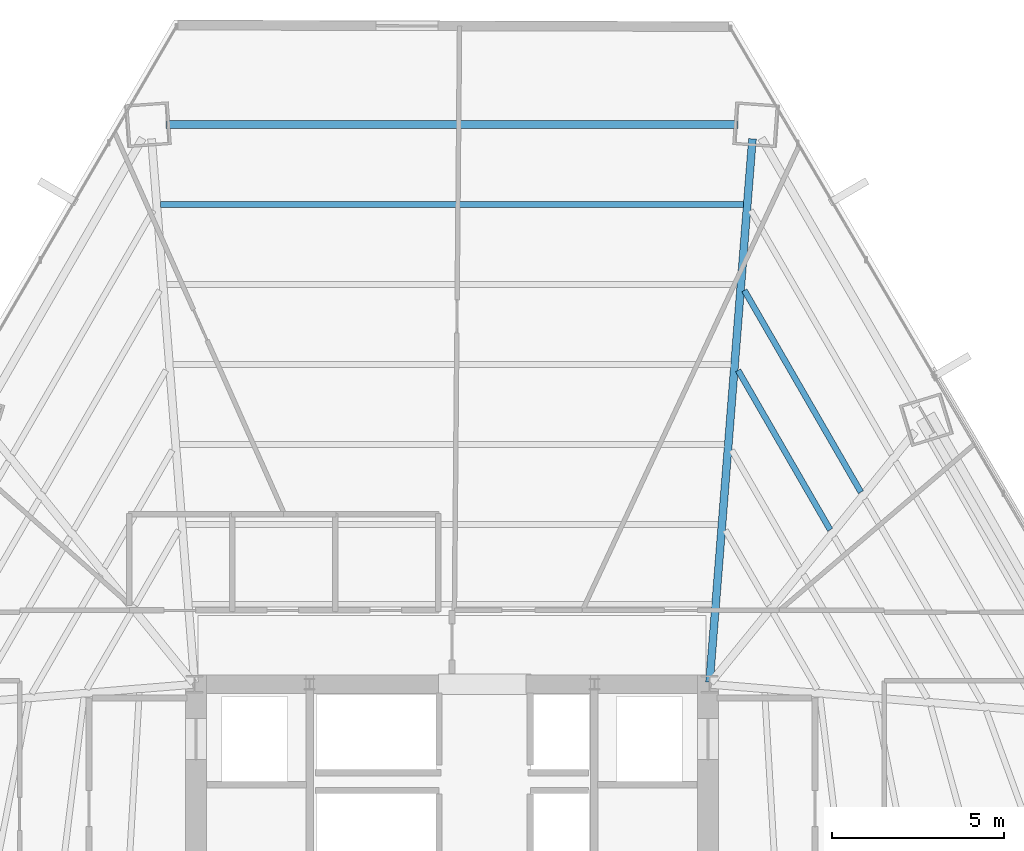
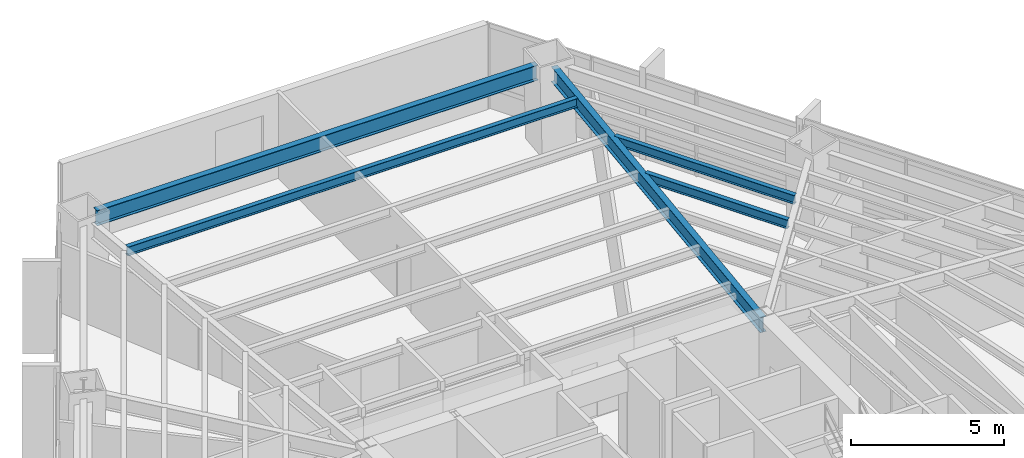
# One storey, part 29 of 37: 5 beams.
"""IFC4 building model written with IfcOpenShell, lengths in metres."""

from ifc_helpers import new_model, si_unit, direction, frame, origin, origin_2d, place, context, subcontext, project, spatial, i_section, extrude, source, transform, mapped, material, material_profile, profile_set, type_object, type_shapes, element, save


model = new_model("IFC4")

# Units and contexts
model_context = context("Model", 3, precision=1e-05, world=origin(), true_north=direction((0.0, 1.0)))
body_context = subcontext(model_context, "Body", "Model", "MODEL_VIEW")
ifc_project = project(units=[si_unit("LENGTHUNIT", "METRE"), si_unit("AREAUNIT", "SQUARE_METRE"), si_unit("VOLUMEUNIT", "CUBIC_METRE"), si_unit("PLANEANGLEUNIT", "RADIAN"), si_unit("MASSUNIT", "GRAM", prefix="KILO")], contexts=[model_context])

# Site, building, storey
site_placement = place(None, origin())
site = spatial("IfcSite", under=ifc_project, at=site_placement, CompositionType="ELEMENT")
building_placement = place(site_placement, origin())
building = spatial("IfcBuilding", under=site, at=building_placement, Name="Caelisora Broadcast Tower", CompositionType="ELEMENT")
storey_placement = place(building_placement, frame((0.0, 0.0, 45.85009765625)))
storey = spatial("IfcBuildingStorey", under=building, at=storey_placement, Name="L11", CompositionType="ELEMENT", Elevation=45.85009765625)

# Beams
ifc_material = material(Name="Steel Grade 350 (AS/NZS 3679.1)", Category="steel")
ifc_material_profile_1 = material_profile(ifc_material, i_section(OverallWidth=0.22900390625, OverallDepth=0.611572265625, WebThickness=0.011962890625, FlangeThickness=0.01953125, at=origin_2d()), Name="Steel Grade 350 (AS/NZS 3679.1)")
ifc_profile_set_1 = profile_set([ifc_material_profile_1], Name="Steel Grade 350 (AS/NZS 3679.1)")
beam_type_1 = type_object("IfcBeamType", Name="PG03", PredefinedType="BEAM", material=ifc_profile_set_1)
shared_shape_1 = source(origin(), body_context, "Body", "SweptSolid", [
    extrude(i_section(OverallWidth=0.22900390625, OverallDepth=0.611572265625, WebThickness=0.011962890625, FlangeThickness=0.01953125, at=origin_2d()), origin(), (0.0, 0.0, 1.0), 16.65673828125),
])
type_shapes(beam_type_1, [shared_shape_1])
beam_1_placement = place(storey_placement, frame((46.328369140625, 46.310546875, 3.093994140625), z_axis=(-1.0, 0.0, 0.0), x_axis=(0.0, -1.0, 0.0)))
element("IfcBeam", 1, at=beam_1_placement, inside=storey, type_object=beam_type_1, Name="L11 beam PG03", PredefinedType="BEAM", context=body_context, shape_type="MappedRepresentation", body=[
    mapped(shared_shape_1, transform((0.0, 0.0, 0.0), scale=1.0)),
])
ifc_material_profile_2 = material_profile(ifc_material, i_section(OverallWidth=0.22802734375, OverallDepth=0.602294921875, WebThickness=0.010498046875, FlangeThickness=0.014892578125, at=origin_2d()), Name="Steel Grade 350 (AS/NZS 3679.1)")
ifc_profile_set_2 = profile_set([ifc_material_profile_2], Name="Steel Grade 350 (AS/NZS 3679.1)")
beam_type_2 = type_object("IfcBeamType", Name="PG04", PredefinedType="BEAM", material=ifc_profile_set_2)
shared_shape_2 = source(origin(), body_context, "Body", "SweptSolid", [
    extrude(i_section(OverallWidth=0.22802734375, OverallDepth=0.602294921875, WebThickness=0.010498046875, FlangeThickness=0.014892578125, at=origin_2d()), origin(), (0.0, 0.0, 1.0), 15.88134765625),
])
type_shapes(beam_type_2, [shared_shape_2])
beam_2_placement = place(storey_placement, frame((45.504638671875, 30.059814453125, 3.098876953125), z_axis=(0.078754750647, 0.996894021073, 0.0), x_axis=(-0.996894021073, 0.078754750647, 0.0)))
element("IfcBeam", 2, at=beam_2_placement, inside=storey, type_object=beam_type_2, Name="L11 beam PG04", PredefinedType="BEAM", context=body_context, shape_type="MappedRepresentation", body=[
    mapped(shared_shape_2, transform((0.0, 0.0, 0.0), scale=1.0)),
])
ifc_material_profile_3 = material_profile(ifc_material, i_section(OverallWidth=0.172119140625, OverallDepth=0.358642578125, WebThickness=0.008056640625, FlangeThickness=0.012939453125, at=origin_2d()), Name="Steel Grade 350 (AS/NZS 3679.1)")
ifc_profile_set_3 = profile_set([ifc_material_profile_3], Name="Steel Grade 350 (AS/NZS 3679.1)")
beam_type_3 = type_object("IfcBeamType", Name="SB02", PredefinedType="JOIST", material=ifc_profile_set_3)
shared_shape_3 = source(origin(), body_context, "Body", "SweptSolid", [
    extrude(i_section(OverallWidth=0.172119140625, OverallDepth=0.358642578125, WebThickness=0.008056640625, FlangeThickness=0.012939453125, at=origin_2d()), origin(), (0.0, 0.0, 1.0), 16.98583984375),
])
beam_3_placement = place(storey_placement, frame((46.492919921875, 43.98046875, 3.220703125), z_axis=(-1.0, 0.0, 0.0), x_axis=(0.0, -1.0, 0.0)))
element("IfcBeam", 3, at=beam_3_placement, inside=storey, type_object=beam_type_3, Name="L11 beam SB02", PredefinedType="JOIST", context=body_context, shape_type="MappedRepresentation", body=[
    mapped(shared_shape_3, transform((0.0, 0.0, 0.0), scale=1.0)),
])
shared_shape_4 = source(origin(), body_context, "Body", "SweptSolid", [
    extrude(i_section(OverallWidth=0.172119140625, OverallDepth=0.358642578125, WebThickness=0.008056640625, FlangeThickness=0.012939453125, at=origin_2d()), origin(), (0.0, 0.0, 1.0), 5.369384765625),
])
beam_4_placement = place(storey_placement, frame((49.02001953125, 34.498779296875, 3.220703125), z_axis=(-0.500026830324, 0.866009912735, 0.0), x_axis=(-0.866009912735, -0.500026830324, 0.0)))
element("IfcBeam", 4, at=beam_4_placement, inside=storey, type_object=beam_type_3, Name="L11 beam SB02", PredefinedType="JOIST", context=body_context, shape_type="MappedRepresentation", body=[
    mapped(shared_shape_4, transform((0.0, 0.0, 0.0), scale=1.0)),
])
shared_shape_5 = source(origin(), body_context, "Body", "SweptSolid", [
    extrude(i_section(OverallWidth=0.172119140625, OverallDepth=0.358642578125, WebThickness=0.008056640625, FlangeThickness=0.012939453125, at=origin_2d()), origin(), (0.0, 0.0, 1.0), 6.791015625),
])
type_shapes(beam_type_3, [shared_shape_3, shared_shape_4, shared_shape_5])
beam_5_placement = place(storey_placement, frame((49.914794921875, 35.59765625, 3.220703125), z_axis=(-0.500005645154, 0.866022144529, 0.0), x_axis=(-0.866022144529, -0.500005645154, 0.0)))
element("IfcBeam", 5, at=beam_5_placement, inside=storey, type_object=beam_type_3, Name="L11 beam SB02", PredefinedType="JOIST", context=body_context, shape_type="MappedRepresentation", body=[
    mapped(shared_shape_5, transform((0.0, 0.0, 0.0), scale=1.0)),
])

save(model, "model.ifc")
